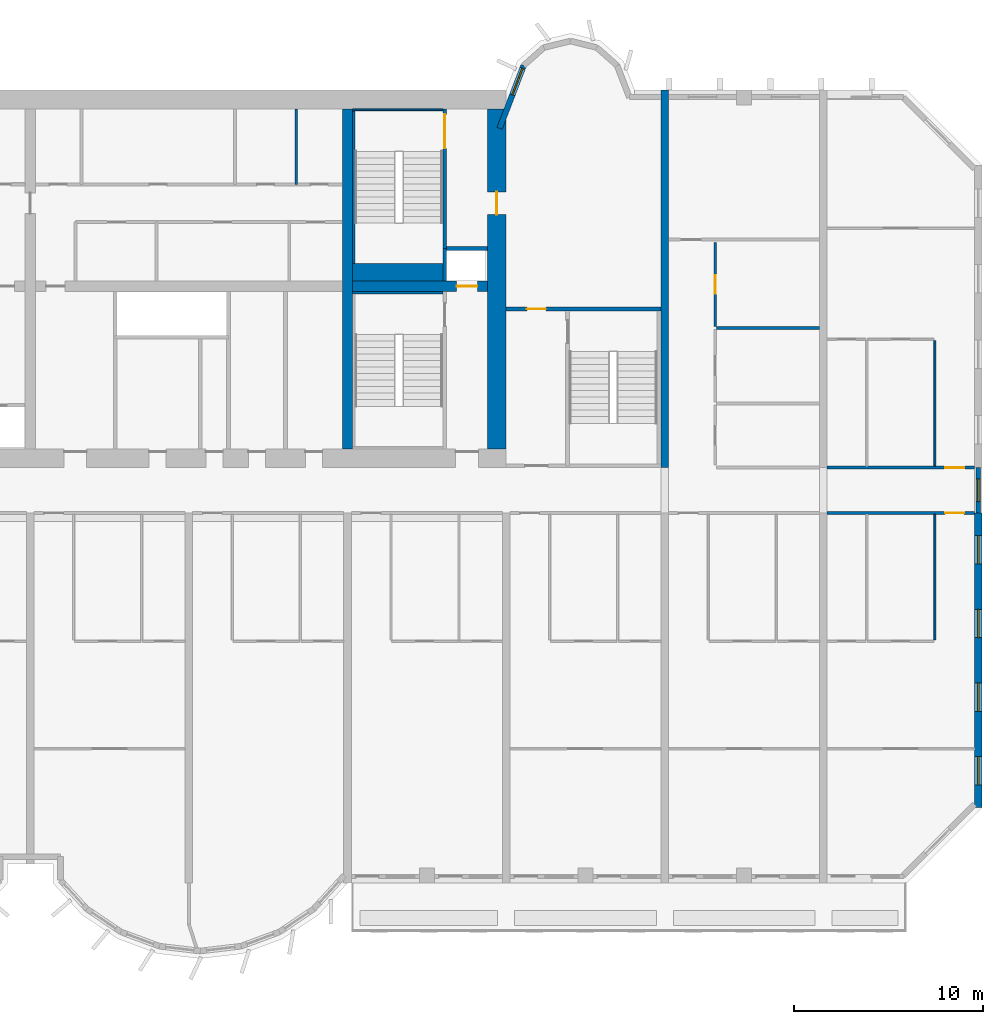
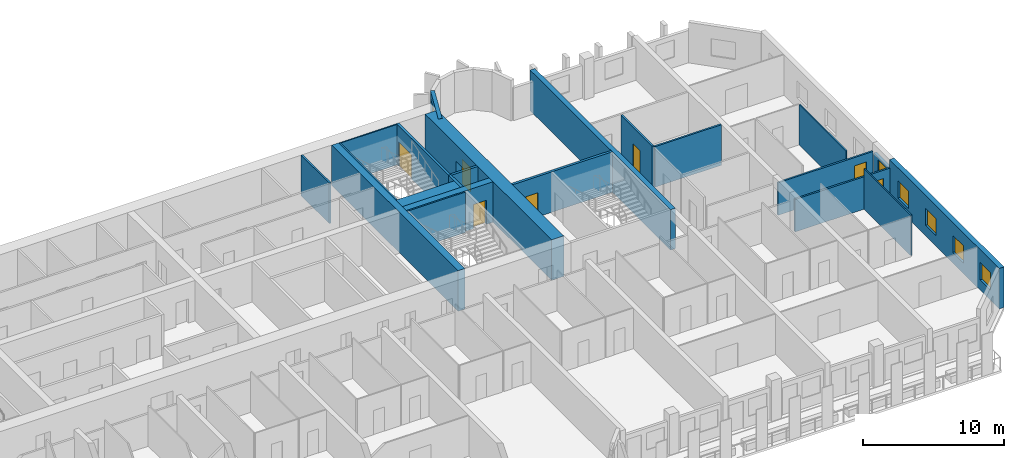
# One storey, part 10 of 15: 22 walls, 7 doors, 6 windows, 13 openings.
"""IFC4 building model written with IfcOpenShell, lengths in metres."""

from ifc_helpers import new_model, si_unit, direction, frame, frame_2d, origin, place, context, subcontext, project, spatial, rectangle, extrude, source, transform, mapped, material, layer, layer_set, type_object, element, fill, save


model = new_model("IFC4")

# Units and contexts
model_context = context("Model", 3, precision=1e-05, world=origin(), true_north=direction((0.0, 1.0)))
body_context = subcontext(model_context, "Body", "Model", "MODEL_VIEW")
ifc_project = project(units=[si_unit("LENGTHUNIT", "METRE"), si_unit("AREAUNIT", "SQUARE_METRE"), si_unit("VOLUMEUNIT", "CUBIC_METRE"), si_unit("PLANEANGLEUNIT", "RADIAN"), si_unit("MASSUNIT", "GRAM", prefix="KILO")], contexts=[model_context])

# Site, building, storey
site_placement = place(None, origin())
site = spatial("IfcSite", under=ifc_project, at=site_placement, CompositionType="ELEMENT")
building_placement = place(site_placement, origin())
building = spatial("IfcBuilding", under=site, at=building_placement, Name="Vanashikhar Sky Hotel", CompositionType="ELEMENT")
storey_placement = place(building_placement, frame((0.0, 0.0, 62.0)))
storey = spatial("IfcBuildingStorey", under=building, at=storey_placement, Name="L14", CompositionType="ELEMENT", Elevation=62.0)

# Wall, opening, door
ifc_material_1 = material(Name="Concrete M80", Category="concrete")
ifc_layer_1 = layer(ifc_material_1, 1.0)
ifc_layer_set_1 = layer_set([ifc_layer_1], Name="RC core shell wall 1000 Concrete M80")
wall_type_1 = type_object("IfcWallType", Name="RC core shell wall 1000 Concrete M80", PredefinedType="SHEAR", material=ifc_layer_set_1)
shared_shape_1 = source(origin(), body_context, "Body", "SweptSolid", [
    extrude(rectangle(XDim=18.0, YDim=1.0, at=frame_2d((9.0, 0.0))), origin(), (0.0, 0.0, 1.0), 3.52001953125),
])
wall_1_placement = place(storey_placement, frame((75.10009765625, 23.0, 0.0), z_axis=(0.0, 0.0, 1.0), x_axis=(0.0, 1.0, 0.0)))
wall_1 = element("IfcWall", 1, at=wall_1_placement, inside=storey, type_object=wall_type_1, Name="KW-L14-KE", PredefinedType="SHEAR", context=body_context, shape_type="MappedRepresentation", body=[
    mapped(shared_shape_1, transform((0.0, 0.0, 0.0), scale=1.0)),
])
shared_shape_2 = source(origin(), body_context, "Body", "SweptSolid", [
    extrude(rectangle(XDim=1.199951171875, YDim=2.10009765625, at=frame_2d((0.60009765625, 1.050048828125))), frame((0.0, 0.510009765625, 0.0), z_axis=(0.0, -1.0, 0.0), x_axis=(1.0, 0.0, 0.0)), (0.0, 0.0, 1.0), 1.02001953125),
])
opening_1_placement = place(wall_1_placement, frame((12.39990234375, 0.0, 0.0)))
opening_1 = element("IfcOpeningElement", 2, at=opening_1_placement, cuts=wall_1, Name="Opening DC-4-D", PredefinedType="OPENING", context=body_context, shape_type="MappedRepresentation", body=[
    mapped(shared_shape_2, transform((0.0, 0.0, 0.0), scale=1.0)),
])
ifc_material_2 = material(Name="Steel", Category="steel")
door_type_1 = type_object("IfcDoorType", Name="Service door 1200 FD120", OperationType="NOTDEFINED", PredefinedType="DOOR", material=ifc_material_2)
shared_shape_3 = source(origin(), body_context, "Body", "SweptSolid", [
    extrude(rectangle(XDim=1.199951171875, YDim=2.10009765625, at=frame_2d((0.60009765625, 1.050048828125))), frame((0.0, 0.02490234375, 0.0), z_axis=(0.0, -1.0, 0.0), x_axis=(1.0, 0.0, 0.0)), (0.0, 0.0, 1.0), 0.050048828125),
])
door_1_placement = place(opening_1_placement, origin())
door_1 = element("IfcDoor", 3, at=door_1_placement, inside=storey, type_object=door_type_1, Name="Service door 1200 FD120", OperationType="SINGLE_SWING_LEFT", OverallHeight=2.10009765625, OverallWidth=1.199951171875, PredefinedType="DOOR", context=body_context, shape_type="MappedRepresentation", body=[
    mapped(shared_shape_3, transform((0.0, 0.0, 0.0), scale=1.0)),
])
fill(opening_1, door_1)

# Wall
ifc_layer_2 = layer(ifc_material_1, 0.550048828125)
ifc_layer_set_2 = layer_set([ifc_layer_2], Name="RC core inner wall 550 Concrete M80")
wall_type_2 = type_object("IfcWallType", Name="RC core inner wall 550 Concrete M80", PredefinedType="SHEAR", material=ifc_layer_set_2)
shared_shape_4 = source(origin(), body_context, "Body", "SweptSolid", [
    extrude(rectangle(XDim=18.0, YDim=0.550048828125, at=frame_2d((9.0, 0.0))), origin(), (0.0, 0.0, 1.0), 3.52001953125),
])
wall_2_placement = place(storey_placement, frame((67.199951171875, 23.0, 0.0), z_axis=(0.0, 0.0, 1.0), x_axis=(0.0, 1.0, 0.0)))
element("IfcWall", 4, at=wall_2_placement, inside=storey, type_object=wall_type_2, Name="KW-L14-KX3", PredefinedType="SHEAR", context=body_context, shape_type="MappedRepresentation", body=[
    mapped(shared_shape_4, transform((0.0, 0.0, 0.0), scale=1.0)),
])

# Wall, opening, door
shared_shape_5 = source(origin(), body_context, "Body", "SweptSolid", [
    extrude(rectangle(XDim=7.125, YDim=0.550048828125, at=frame_2d((3.5625, 0.0))), origin(), (0.0, 0.0, 1.0), 3.52001953125),
])
wall_3_placement = place(storey_placement, frame((67.47509765625, 31.60009765625, 0.0), z_axis=(0.0, 0.0, 1.0), x_axis=(1.0, 0.0, 0.0)))
wall_3 = element("IfcWall", 5, at=wall_3_placement, inside=storey, type_object=wall_type_2, Name="KW-L14-KY4", PredefinedType="SHEAR", context=body_context, shape_type="MappedRepresentation", body=[
    mapped(shared_shape_5, transform((0.0, 0.0, 0.0), scale=1.0)),
])
shared_shape_6 = source(origin(), body_context, "Body", "SweptSolid", [
    extrude(rectangle(XDim=1.10009765625, YDim=2.10009765625, at=frame_2d((0.550048828125, 1.050048828125))), frame((0.0, 0.28515625, 0.0), z_axis=(0.0, -1.0, 0.0), x_axis=(1.0, 0.0, 0.0)), (0.0, 0.0, 1.0), 0.570068359375),
])
opening_2_placement = place(wall_3_placement, frame((5.5, 0.0, 0.0)))
opening_2 = element("IfcOpeningElement", 6, at=opening_2_placement, cuts=wall_3, Name="Opening LD", PredefinedType="OPENING", context=body_context, shape_type="MappedRepresentation", body=[
    mapped(shared_shape_6, transform((0.0, 0.0, 0.0), scale=1.0)),
])
ifc_material_3 = material(Name="Stainless steel", Category="steel")
door_type_2 = type_object("IfcDoorType", Name="Lift landing door 1100", OperationType="NOTDEFINED", PredefinedType="DOOR", material=ifc_material_3)
shared_shape_7 = source(origin(), body_context, "Body", "SweptSolid", [
    extrude(rectangle(XDim=1.10009765625, YDim=2.10009765625, at=frame_2d((0.550048828125, 1.050048828125))), frame((0.0, 0.02490234375, 0.0), z_axis=(0.0, -1.0, 0.0), x_axis=(1.0, 0.0, 0.0)), (0.0, 0.0, 1.0), 0.050048828125),
])
door_2_placement = place(opening_2_placement, origin())
door_2 = element("IfcDoor", 7, at=door_2_placement, inside=storey, type_object=door_type_2, Name="Lift landing door 1100", OperationType="SLIDING_TO_RIGHT", OverallHeight=2.10009765625, OverallWidth=1.10009765625, PredefinedType="DOOR", context=body_context, shape_type="MappedRepresentation", body=[
    mapped(shared_shape_7, transform((0.0, 0.0, 0.0), scale=1.0)),
])
fill(opening_2, door_2)

# Wall, openings, windows
ifc_layer_3 = layer(ifc_material_1, 0.39990234375)
ifc_layer_set_3 = layer_set([ifc_layer_3], Name="RC shear wall 400 Concrete M80")
wall_type_3 = type_object("IfcWallType", Name="RC shear wall 400 Concrete M80", PredefinedType="SHEAR", material=ifc_layer_set_3)
shared_shape_8 = source(origin(), body_context, "Body", "SweptSolid", [
    extrude(rectangle(XDim=15.60009765625, YDim=0.39990234375, at=frame_2d((7.800048828125, 0.0))), origin(), (0.0, 0.0, 1.0), 3.52001953125),
])
wall_4_placement = place(storey_placement, frame((100.60009765625, 4.0, 0.0), z_axis=(0.0, 0.0, 1.0), x_axis=(0.0, 1.0, 0.0)))
wall_4 = element("IfcWall", 8, at=wall_4_placement, inside=storey, type_object=wall_type_3, Name="CW-L14-XW13-1", PredefinedType="SHEAR", context=body_context, shape_type="MappedRepresentation", body=[
    mapped(shared_shape_8, transform((0.0, 0.0, 0.0), scale=1.0)),
])
shared_shape_9 = source(origin(), body_context, "Body", "SweptSolid", [
    extrude(rectangle(XDim=1.5, YDim=1.5, at=frame_2d((0.75, 0.75))), frame((0.0, 0.2099609375, 0.0), z_axis=(0.0, -1.0, 0.0), x_axis=(1.0, 0.0, 0.0)), (0.0, 0.0, 1.0), 0.419921875),
])
opening_3_placement = place(wall_4_placement, frame((1.199951171875, 0.0, 0.89990234375)))
opening_3 = element("IfcOpeningElement", 9, at=opening_3_placement, cuts=wall_4, Name="Opening WN-1", PredefinedType="OPENING", context=body_context, shape_type="MappedRepresentation", body=[
    mapped(shared_shape_9, transform((0.0, 0.0, 0.0), scale=1.0)),
])
opening_4_placement = place(wall_4_placement, frame((5.10009765625, 0.0, 0.89990234375)))
opening_4 = element("IfcOpeningElement", 10, at=opening_4_placement, cuts=wall_4, Name="Opening WN-1", PredefinedType="OPENING", context=body_context, shape_type="MappedRepresentation", body=[
    mapped(shared_shape_9, transform((0.0, 0.0, 0.0), scale=1.0)),
])
opening_5_placement = place(wall_4_placement, frame((9.0, 0.0, 0.89990234375)))
opening_5 = element("IfcOpeningElement", 11, at=opening_5_placement, cuts=wall_4, Name="Opening WN-1", PredefinedType="OPENING", context=body_context, shape_type="MappedRepresentation", body=[
    mapped(shared_shape_9, transform((0.0, 0.0, 0.0), scale=1.0)),
])
opening_6_placement = place(wall_4_placement, frame((12.89990234375, 0.0, 0.89990234375)))
opening_6 = element("IfcOpeningElement", 12, at=opening_6_placement, cuts=wall_4, Name="Opening WN-1", PredefinedType="OPENING", context=body_context, shape_type="MappedRepresentation", body=[
    mapped(shared_shape_9, transform((0.0, 0.0, 0.0), scale=1.0)),
])
ifc_material_4 = material(Name="Glass", Category="glass")
window_type_1 = type_object("IfcWindowType", Name="Window 1500 x 1500", PartitioningType="SINGLE_PANEL", PredefinedType="WINDOW", material=ifc_material_4)
shared_shape_10 = source(origin(), body_context, "Body", "SweptSolid", [
    extrude(rectangle(XDim=1.5, YDim=1.5, at=frame_2d((0.75, 0.75))), frame((0.0, 0.030029296875, 0.0), z_axis=(0.0, -1.0, 0.0), x_axis=(1.0, 0.0, 0.0)), (0.0, 0.0, 1.0), 0.06005859375),
])
window_1_placement = place(opening_3_placement, origin())
window_1 = element("IfcWindow", 13, at=window_1_placement, inside=storey, type_object=window_type_1, Name="Window WN-1", OverallHeight=1.5, OverallWidth=1.5, PartitioningType="SINGLE_PANEL", PredefinedType="WINDOW", context=body_context, shape_type="MappedRepresentation", body=[
    mapped(shared_shape_10, transform((0.0, 0.0, 0.0), scale=1.0)),
])
fill(opening_3, window_1)
window_2_placement = place(opening_4_placement, origin())
window_2 = element("IfcWindow", 14, at=window_2_placement, inside=storey, type_object=window_type_1, Name="Window WN-1", OverallHeight=1.5, OverallWidth=1.5, PartitioningType="SINGLE_PANEL", PredefinedType="WINDOW", context=body_context, shape_type="MappedRepresentation", body=[
    mapped(shared_shape_10, transform((0.0, 0.0, 0.0), scale=1.0)),
])
fill(opening_4, window_2)
window_3_placement = place(opening_5_placement, origin())
window_3 = element("IfcWindow", 15, at=window_3_placement, inside=storey, type_object=window_type_1, Name="Window WN-1", OverallHeight=1.5, OverallWidth=1.5, PartitioningType="SINGLE_PANEL", PredefinedType="WINDOW", context=body_context, shape_type="MappedRepresentation", body=[
    mapped(shared_shape_10, transform((0.0, 0.0, 0.0), scale=1.0)),
])
fill(opening_5, window_3)
window_4_placement = place(opening_6_placement, origin())
window_4 = element("IfcWindow", 16, at=window_4_placement, inside=storey, type_object=window_type_1, Name="Window WN-1", OverallHeight=1.5, OverallWidth=1.5, PartitioningType="SINGLE_PANEL", PredefinedType="WINDOW", context=body_context, shape_type="MappedRepresentation", body=[
    mapped(shared_shape_10, transform((0.0, 0.0, 0.0), scale=1.0)),
])
fill(opening_6, window_4)

# Wall
shared_shape_11 = source(origin(), body_context, "Body", "SweptSolid", [
    extrude(rectangle(XDim=20.0, YDim=0.39990234375, at=frame_2d((10.0, 0.0))), origin(), (0.0, 0.0, 1.0), 3.52001953125),
])
wall_5_placement = place(storey_placement, frame((84.0, 22.0, 0.0), z_axis=(0.0, 0.0, 1.0), x_axis=(0.0, 1.0, 0.0)))
element("IfcWall", 17, at=wall_5_placement, inside=storey, type_object=wall_type_3, Name="CW-L14-XW11-2", PredefinedType="SHEAR", context=body_context, shape_type="MappedRepresentation", body=[
    mapped(shared_shape_11, transform((0.0, 0.0, 0.0), scale=1.0)),
])

# Wall, opening, window
ifc_material_5 = material(Name="Concrete M50", Category="concrete")
ifc_layer_4 = layer(ifc_material_5, 0.300048828125)
ifc_layer_set_4 = layer_set([ifc_layer_4], Name="Lobe wall 300")
wall_type_4 = type_object("IfcWallType", Name="Lobe wall 300", PredefinedType="SOLIDWALL", material=ifc_layer_set_4)
shared_shape_12 = source(origin(), body_context, "Body", "SweptSolid", [
    extrude(rectangle(XDim=3.55908203125, YDim=0.300048828125, at=frame_2d((1.779541015625, 0.0))), origin(), (0.0, 0.0, 1.0), 3.52001953125),
])
wall_6_placement = place(storey_placement, frame((76.5234375, 43.2919921875, 0.0), z_axis=(0.0, 0.0, 1.0), x_axis=(-0.35779745313, -0.933799219604, 0.0)))
wall_6 = element("IfcWall", 18, at=wall_6_placement, inside=storey, type_object=wall_type_4, Name="Lobe wall", PredefinedType="SOLIDWALL", context=body_context, shape_type="MappedRepresentation", body=[
    mapped(shared_shape_12, transform((0.0, 0.0, 0.0), scale=1.0)),
])
shared_shape_13 = source(origin(), body_context, "Body", "SweptSolid", [
    extrude(rectangle(XDim=1.5, YDim=2.0, at=frame_2d((0.75, 1.0))), frame((0.0, 0.16015625, 0.0), z_axis=(0.0, -1.0, 0.0), x_axis=(1.0, 0.0, 0.0)), (0.0, 0.0, 1.0), 0.320068359375),
])
opening_7_placement = place(wall_6_placement, frame((0.156005859375, 0.0, 0.89990234375)))
opening_7 = element("IfcOpeningElement", 19, at=opening_7_placement, cuts=wall_6, Name="Opening WN-2", PredefinedType="OPENING", context=body_context, shape_type="MappedRepresentation", body=[
    mapped(shared_shape_13, transform((0.0, 0.0, 0.0), scale=1.0)),
])
window_type_2 = type_object("IfcWindowType", Name="Lobe window 1500 x 2000", PartitioningType="SINGLE_PANEL", PredefinedType="WINDOW", material=ifc_material_4)
shared_shape_14 = source(origin(), body_context, "Body", "SweptSolid", [
    extrude(rectangle(XDim=1.5, YDim=2.0, at=frame_2d((0.75, 1.0))), frame((0.0, 0.030029296875, 0.0), z_axis=(0.0, -1.0, 0.0), x_axis=(1.0, 0.0, 0.0)), (0.0, 0.0, 1.0), 0.06005859375),
])
window_5_placement = place(opening_7_placement, origin())
window_5 = element("IfcWindow", 20, at=window_5_placement, inside=storey, type_object=window_type_2, Name="Window WN-2", OverallHeight=2.0, OverallWidth=1.5, PartitioningType="SINGLE_PANEL", PredefinedType="WINDOW", context=body_context, shape_type="MappedRepresentation", body=[
    mapped(shared_shape_14, transform((0.0, 0.0, 0.0), scale=1.0)),
])
fill(opening_7, window_5)

ifc_layer_5 = layer(ifc_material_5, 0.25)
ifc_layer_set_5 = layer_set([ifc_layer_5], Name="Rear and end board-marked wall 250")
wall_type_5 = type_object("IfcWallType", Name="Rear and end board-marked wall 250", PredefinedType="SOLIDWALL", material=ifc_layer_set_5)
shared_shape_15 = source(origin(), body_context, "Body", "SweptSolid", [
    extrude(rectangle(XDim=2.39990234375, YDim=0.25, at=frame_2d((1.199951171875, 0.0))), origin(), (0.0, 0.0, 1.0), 2.6201171875),
])
wall_7_placement = place(storey_placement, frame((100.60009765625, 19.60009765625, 0.0), z_axis=(0.0, 0.0, 1.0), x_axis=(0.0, 1.0, 0.0)))
wall_7 = element("IfcWall", 21, at=wall_7_placement, inside=storey, type_object=wall_type_5, Name="End corridor infill wall", PredefinedType="SOLIDWALL", context=body_context, shape_type="MappedRepresentation", body=[
    mapped(shared_shape_15, transform((0.0, 0.0, 0.0), scale=1.0)),
])
shared_shape_16 = source(origin(), body_context, "Body", "SweptSolid", [
    extrude(rectangle(XDim=1.199951171875, YDim=1.5, at=frame_2d((0.60009765625, 0.75))), frame((0.0, 0.135009765625, 0.0), z_axis=(0.0, -1.0, 0.0), x_axis=(1.0, 0.0, 0.0)), (0.0, 0.0, 1.0), 0.27001953125),
])
opening_8_placement = place(wall_7_placement, frame((0.60009765625, 0.0, 0.89990234375)))
opening_8 = element("IfcOpeningElement", 22, at=opening_8_placement, cuts=wall_7, Name="Opening WN-3", PredefinedType="OPENING", context=body_context, shape_type="MappedRepresentation", body=[
    mapped(shared_shape_16, transform((0.0, 0.0, 0.0), scale=1.0)),
])
window_type_3 = type_object("IfcWindowType", Name="Corridor end window 1200 x 1500", PartitioningType="SINGLE_PANEL", PredefinedType="WINDOW", material=ifc_material_4)
shared_shape_17 = source(origin(), body_context, "Body", "SweptSolid", [
    extrude(rectangle(XDim=1.199951171875, YDim=1.5, at=frame_2d((0.60009765625, 0.75))), frame((0.0, 0.030029296875, 0.0), z_axis=(0.0, -1.0, 0.0), x_axis=(1.0, 0.0, 0.0)), (0.0, 0.0, 1.0), 0.06005859375),
])
window_6_placement = place(opening_8_placement, origin())
window_6 = element("IfcWindow", 23, at=window_6_placement, inside=storey, type_object=window_type_3, Name="Window WN-3", OverallHeight=1.5, OverallWidth=1.199951171875, PartitioningType="SINGLE_PANEL", PredefinedType="WINDOW", context=body_context, shape_type="MappedRepresentation", body=[
    mapped(shared_shape_17, transform((0.0, 0.0, 0.0), scale=1.0)),
])
fill(opening_8, window_6)

# Wall, opening, door
ifc_layer_6 = layer(ifc_material_5, 0.199951171875)
ifc_layer_set_6 = layer_set([ifc_layer_6], Name="Stair wall 200")
wall_type_6 = type_object("IfcWallType", Name="Stair wall 200", PredefinedType="SOLIDWALL", material=ifc_layer_set_6)
shared_shape_18 = source(origin(), body_context, "Body", "SweptSolid", [
    extrude(rectangle(XDim=8.199951171875, YDim=0.199951171875, at=frame_2d((4.10009765625, 0.0))), origin(), (0.0, 0.0, 1.0), 3.52001953125),
])
wall_8_placement = place(storey_placement, frame((83.800048828125, 30.39990234375, 0.0), z_axis=(0.0, 0.0, 1.0), x_axis=(-1.0, 0.0, 0.0)))
wall_8 = element("IfcWall", 24, at=wall_8_placement, inside=storey, type_object=wall_type_6, Name="Stair wall 200", PredefinedType="SOLIDWALL", context=body_context, shape_type="MappedRepresentation", body=[
    mapped(shared_shape_18, transform((0.0, 0.0, 0.0), scale=1.0)),
])
shared_shape_19 = source(origin(), body_context, "Body", "SweptSolid", [
    extrude(rectangle(XDim=1.0, YDim=2.10009765625, at=frame_2d((0.5, 1.050048828125))), frame((0.0, 0.10986328125, 0.0), z_axis=(0.0, -1.0, 0.0), x_axis=(1.0, 0.0, 0.0)), (0.0, 0.0, 1.0), 0.219970703125),
])
opening_9_placement = place(wall_8_placement, frame((6.10009765625, 0.0, 0.0)))
opening_9 = element("IfcOpeningElement", 25, at=opening_9_placement, cuts=wall_8, Name="Opening DC-6", PredefinedType="OPENING", context=body_context, shape_type="MappedRepresentation", body=[
    mapped(shared_shape_19, transform((0.0, 0.0, 0.0), scale=1.0)),
])
door_type_3 = type_object("IfcDoorType", Name="Pocket door 1000 FD60", OperationType="NOTDEFINED", PredefinedType="DOOR", material=ifc_material_2)
shared_shape_20 = source(origin(), body_context, "Body", "SweptSolid", [
    extrude(rectangle(XDim=1.0, YDim=2.10009765625, at=frame_2d((0.5, 1.050048828125))), frame((0.0, 0.02490234375, 0.0), z_axis=(0.0, -1.0, 0.0), x_axis=(1.0, 0.0, 0.0)), (0.0, 0.0, 1.0), 0.050048828125),
])
door_3_placement = place(opening_9_placement, origin())
door_3 = element("IfcDoor", 26, at=door_3_placement, inside=storey, type_object=door_type_3, Name="Pocket door 1000 FD60", OperationType="SINGLE_SWING_RIGHT", OverallHeight=2.10009765625, OverallWidth=1.0, PredefinedType="DOOR", context=body_context, shape_type="MappedRepresentation", body=[
    mapped(shared_shape_20, transform((0.0, 0.0, 0.0), scale=1.0)),
])
fill(opening_9, door_3)

# Walls
ifc_material_6 = material(Name="Concrete M40", Category="concrete")
ifc_layer_7 = layer(ifc_material_6, 0.199951171875)
ifc_layer_set_7 = layer_set([ifc_layer_7], Name="Shaft wall 200")
wall_type_7 = type_object("IfcWallType", Name="Shaft wall 200", PredefinedType="SOLIDWALL", material=ifc_layer_set_7)
shared_shape_21 = source(origin(), body_context, "Body", "SweptSolid", [
    extrude(rectangle(XDim=2.150146484375, YDim=0.199951171875, at=frame_2d((1.0751953125, 0.0))), origin(), (0.0, 0.0, 1.0), 3.52001953125),
])
wall_9_placement = place(storey_placement, frame((72.449951171875, 33.60009765625, 0.0), z_axis=(0.0, 0.0, 1.0), x_axis=(1.0, 0.0, 0.0)))
element("IfcWall", 27, at=wall_9_placement, inside=storey, type_object=wall_type_7, Name="Shaft wall 200", PredefinedType="SOLIDWALL", context=body_context, shape_type="MappedRepresentation", body=[
    mapped(shared_shape_21, transform((0.0, 0.0, 0.0), scale=1.0)),
])
ifc_material_7 = material(Name="Gypsum board partition")
ifc_layer_8 = layer(ifc_material_7, 0.14990234375)
ifc_layer_set_8 = layer_set([ifc_layer_8], Name="Service partition 150")
wall_type_8 = type_object("IfcWallType", Name="Service partition 150", PredefinedType="PARTITIONING", material=ifc_layer_set_8)
shared_shape_22 = source(origin(), body_context, "Body", "SweptSolid", [
    extrude(rectangle(XDim=4.0, YDim=0.14990234375, at=frame_2d((2.0, 0.0))), origin(), (0.0, 0.0, 1.0), 3.52001953125),
])
wall_10_placement = place(storey_placement, frame((64.487060546875, 37.0, 0.0), z_axis=(0.0, 0.0, 1.0), x_axis=(0.0, 1.0, 0.0)))
element("IfcWall", 28, at=wall_10_placement, inside=storey, type_object=wall_type_8, Name="Service partition 150", PredefinedType="PARTITIONING", context=body_context, shape_type="MappedRepresentation", body=[
    mapped(shared_shape_22, transform((0.0, 0.0, 0.0), scale=1.0)),
])
shared_shape_23 = source(origin(), body_context, "Body", "SweptSolid", [
    extrude(rectangle(XDim=1.72509765625, YDim=0.199951171875, at=frame_2d((0.862548828125, 0.0))), origin(), (0.0, 0.0, 1.0), 3.52001953125),
])
wall_11_placement = place(storey_placement, frame((72.35009765625, 31.875, 0.0), z_axis=(0.0, 0.0, 1.0), x_axis=(0.0, 1.0, 0.0)))
element("IfcWall", 29, at=wall_11_placement, inside=storey, type_object=wall_type_7, Name="Shaft wall 200", PredefinedType="SOLIDWALL", context=body_context, shape_type="MappedRepresentation", body=[
    mapped(shared_shape_23, transform((0.0, 0.0, 0.0), scale=1.0)),
])

# Wall, opening, door
shared_shape_24 = source(origin(), body_context, "Body", "SweptSolid", [
    extrude(rectangle(XDim=7.39990234375, YDim=0.199951171875, at=frame_2d((3.699951171875, 0.0))), origin(), (0.0, 0.0, 1.0), 3.52001953125),
])
wall_12_placement = place(storey_placement, frame((72.35009765625, 33.60009765625, 0.0), z_axis=(0.0, 0.0, 1.0), x_axis=(0.0, 1.0, 0.0)))
wall_12 = element("IfcWall", 30, at=wall_12_placement, inside=storey, type_object=wall_type_6, Name="Stair wall 200", PredefinedType="SOLIDWALL", context=body_context, shape_type="MappedRepresentation", body=[
    mapped(shared_shape_24, transform((0.0, 0.0, 0.0), scale=1.0)),
])
shared_shape_25 = source(origin(), body_context, "Body", "SweptSolid", [
    extrude(rectangle(XDim=1.800048828125, YDim=2.10009765625, at=frame_2d((0.89990234375, 1.050048828125))), frame((0.0, 0.10986328125, 0.0), z_axis=(0.0, -1.0, 0.0), x_axis=(1.0, 0.0, 0.0)), (0.0, 0.0, 1.0), 0.219970703125),
])
opening_10_placement = place(wall_12_placement, frame((5.300048828125, 0.0, 0.0)))
opening_10 = element("IfcOpeningElement", 31, at=opening_10_placement, cuts=wall_12, Name="Opening DC-1-A", PredefinedType="OPENING", context=body_context, shape_type="MappedRepresentation", body=[
    mapped(shared_shape_25, transform((0.0, 0.0, 0.0), scale=1.0)),
])
door_type_4 = type_object("IfcDoorType", Name="Stair door 1800 FD120", OperationType="NOTDEFINED", PredefinedType="DOOR", material=ifc_material_2)
shared_shape_26 = source(origin(), body_context, "Body", "SweptSolid", [
    extrude(rectangle(XDim=1.800048828125, YDim=2.10009765625, at=frame_2d((0.89990234375, 1.050048828125))), frame((0.0, 0.02490234375, 0.0), z_axis=(0.0, -1.0, 0.0), x_axis=(1.0, 0.0, 0.0)), (0.0, 0.0, 1.0), 0.050048828125),
])
door_4_placement = place(opening_10_placement, origin())
door_4 = element("IfcDoor", 32, at=door_4_placement, inside=storey, type_object=door_type_4, Name="Stair door 1800 FD120", OperationType="SINGLE_SWING_LEFT", OverallHeight=2.10009765625, OverallWidth=1.800048828125, PredefinedType="DOOR", context=body_context, shape_type="MappedRepresentation", body=[
    mapped(shared_shape_26, transform((0.0, 0.0, 0.0), scale=1.0)),
])
fill(opening_10, door_4)

# Walls
ifc_layer_9 = layer(ifc_material_5, 0.10009765625)
ifc_layer_set_9 = layer_set([ifc_layer_9], Name="Stair infill wall 100")
wall_type_9 = type_object("IfcWallType", Name="Stair infill wall 100", PredefinedType="SOLIDWALL", material=ifc_layer_set_9)
shared_shape_27 = source(origin(), body_context, "Body", "SweptSolid", [
    extrude(rectangle(XDim=4.77490234375, YDim=0.10009765625, at=frame_2d((2.387451171875, 0.0))), origin(), (0.0, 0.0, 1.0), 3.52001953125),
])
wall_13_placement = place(storey_placement, frame((67.47509765625, 40.949951171875, 0.0), z_axis=(0.0, 0.0, 1.0), x_axis=(1.0, 0.0, 0.0)))
element("IfcWall", 33, at=wall_13_placement, inside=storey, type_object=wall_type_9, Name="Stair infill wall 100", PredefinedType="SOLIDWALL", context=body_context, shape_type="MappedRepresentation", body=[
    mapped(shared_shape_27, transform((0.0, 0.0, 0.0), scale=1.0)),
])
ifc_layer_10 = layer(ifc_material_5, 0.125)
ifc_layer_set_10 = layer_set([ifc_layer_10], Name="Stair infill wall 125")
wall_type_10 = type_object("IfcWallType", Name="Stair infill wall 125", PredefinedType="SOLIDWALL", material=ifc_layer_set_10)
shared_shape_28 = source(origin(), body_context, "Body", "SweptSolid", [
    extrude(rectangle(XDim=4.77490234375, YDim=0.125, at=frame_2d((2.387451171875, 0.0))), origin(), (0.0, 0.0, 1.0), 3.52001953125),
])
wall_14_placement = place(storey_placement, frame((67.47509765625, 31.261962890625, 0.0), z_axis=(0.0, 0.0, 1.0), x_axis=(1.0, 0.0, 0.0)))
element("IfcWall", 34, at=wall_14_placement, inside=storey, type_object=wall_type_10, Name="Stair infill wall 125", PredefinedType="SOLIDWALL", context=body_context, shape_type="MappedRepresentation", body=[
    mapped(shared_shape_28, transform((0.0, 0.0, 0.0), scale=1.0)),
])
shared_shape_29 = source(origin(), body_context, "Body", "SweptSolid", [
    extrude(rectangle(XDim=8.099853515625, YDim=0.125, at=frame_2d((4.0498046875, 0.0))), origin(), (0.0, 0.0, 1.0), 3.52001953125),
])
wall_15_placement = place(storey_placement, frame((67.537109375, 32.800048828125, 0.0), z_axis=(0.0, 0.0, 1.0), x_axis=(0.0, 1.0, 0.0)))
element("IfcWall", 35, at=wall_15_placement, inside=storey, type_object=wall_type_10, Name="Stair infill wall 125", PredefinedType="SOLIDWALL", context=body_context, shape_type="MappedRepresentation", body=[
    mapped(shared_shape_29, transform((0.0, 0.0, 0.0), scale=1.0)),
])
ifc_layer_11 = layer(ifc_material_5, 0.925048828125)
ifc_layer_set_11 = layer_set([ifc_layer_11], Name="Stair infill wall 925")
wall_type_11 = type_object("IfcWallType", Name="Stair infill wall 925", PredefinedType="SOLIDWALL", material=ifc_layer_set_11)
shared_shape_30 = source(origin(), body_context, "Body", "SweptSolid", [
    extrude(rectangle(XDim=4.77490234375, YDim=0.925048828125, at=frame_2d((2.387451171875, 0.0))), origin(), (0.0, 0.0, 1.0), 3.52001953125),
])
wall_16_placement = place(storey_placement, frame((67.47509765625, 32.3369140625, 0.0), z_axis=(0.0, 0.0, 1.0), x_axis=(1.0, 0.0, 0.0)))
element("IfcWall", 36, at=wall_16_placement, inside=storey, type_object=wall_type_11, Name="Stair infill wall 925", PredefinedType="SOLIDWALL", context=body_context, shape_type="MappedRepresentation", body=[
    mapped(shared_shape_30, transform((0.0, 0.0, 0.0), scale=1.0)),
])

# Wall, opening, door
ifc_material_8 = material(Name="Gypsum plasterboard partition")
ifc_layer_12 = layer(ifc_material_8, 0.14990234375)
ifc_layer_set_12 = layer_set([ifc_layer_12], Name="Corridor and demising partition 150")
wall_type_12 = type_object("IfcWallType", Name="Corridor and demising partition 150", PredefinedType="PARTITIONING", material=ifc_layer_set_12)
shared_shape_31 = source(origin(), body_context, "Body", "SweptSolid", [
    extrude(rectangle(XDim=4.449951171875, YDim=0.14990234375, at=frame_2d((2.22509765625, 0.0))), origin(), (0.0, 0.0, 1.0), 3.52001953125),
])
wall_17_placement = place(storey_placement, frame((86.675048828125, 29.47509765625, 0.0), z_axis=(0.0, 0.0, 1.0), x_axis=(0.0, 1.0, 0.0)))
wall_17 = element("IfcWall", 37, at=wall_17_placement, inside=storey, type_object=wall_type_12, Name="W-L14-PW088", PredefinedType="PARTITIONING", context=body_context, shape_type="MappedRepresentation", body=[
    mapped(shared_shape_31, transform((0.0, 0.0, 0.0), scale=1.0)),
])
shared_shape_32 = source(origin(), body_context, "Body", "SweptSolid", [
    extrude(rectangle(XDim=1.0, YDim=2.10009765625, at=frame_2d((0.5, 1.050048828125))), frame((0.0, 0.0849609375, 0.0), z_axis=(0.0, -1.0, 0.0), x_axis=(1.0, 0.0, 0.0)), (0.0, 0.0, 1.0), 0.169921875),
])
opening_11_placement = place(wall_17_placement, frame((1.72509765625, 0.0, 0.0)))
opening_11 = element("IfcOpeningElement", 38, at=opening_11_placement, cuts=wall_17, Name="Opening D-01", PredefinedType="OPENING", context=body_context, shape_type="MappedRepresentation", body=[
    mapped(shared_shape_32, transform((0.0, 0.0, 0.0), scale=1.0)),
])
ifc_material_9 = material(Name="Timber fire door", Category="wood")
door_type_5 = type_object("IfcDoorType", Name="Guest entry door 1000 FD30S", OperationType="NOTDEFINED", PredefinedType="DOOR", material=ifc_material_9)
door_5_placement = place(opening_11_placement, origin())
door_5 = element("IfcDoor", 39, at=door_5_placement, inside=storey, type_object=door_type_5, Name="D-L14-053", OperationType="SINGLE_SWING_LEFT", OverallHeight=2.10009765625, OverallWidth=1.0, PredefinedType="DOOR", context=body_context, shape_type="MappedRepresentation", body=[
    mapped(shared_shape_20, transform((0.0, 0.0, 0.0), scale=1.0)),
])
fill(opening_11, door_5)

shared_shape_33 = source(origin(), body_context, "Body", "SweptSolid", [
    extrude(rectangle(XDim=7.7998046875, YDim=0.14990234375, at=frame_2d((3.89990234375, 0.0))), origin(), (0.0, 0.0, 1.0), 2.820068359375),
])
wall_18_placement = place(storey_placement, frame((92.60009765625, 19.60009765625, 0.0), z_axis=(0.0, 0.0, 1.0), x_axis=(1.0, 0.0, 0.0)))
wall_18 = element("IfcWall", 40, at=wall_18_placement, inside=storey, type_object=wall_type_12, Name="W-L14-PW067", PredefinedType="PARTITIONING", context=body_context, shape_type="MappedRepresentation", body=[
    mapped(shared_shape_33, transform((0.0, 0.0, 0.0), scale=1.0)),
])
opening_12_placement = place(wall_18_placement, frame((6.25, 0.0, 0.0)))
opening_12 = element("IfcOpeningElement", 41, at=opening_12_placement, cuts=wall_18, Name="Opening D-01", PredefinedType="OPENING", context=body_context, shape_type="MappedRepresentation", body=[
    mapped(shared_shape_32, transform((0.0, 0.0, 0.0), scale=1.0)),
])
door_6_placement = place(opening_12_placement, origin())
door_6 = element("IfcDoor", 42, at=door_6_placement, inside=storey, type_object=door_type_5, Name="D-L14-042", OperationType="SINGLE_SWING_RIGHT", OverallHeight=2.10009765625, OverallWidth=1.0, PredefinedType="DOOR", context=body_context, shape_type="MappedRepresentation", body=[
    mapped(shared_shape_20, transform((0.0, 0.0, 0.0), scale=1.0)),
])
fill(opening_12, door_6)

wall_19_placement = place(storey_placement, frame((92.60009765625, 22.0, 0.0), z_axis=(0.0, 0.0, 1.0), x_axis=(1.0, 0.0, 0.0)))
wall_19 = element("IfcWall", 43, at=wall_19_placement, inside=storey, type_object=wall_type_12, Name="W-L14-PW095", PredefinedType="PARTITIONING", context=body_context, shape_type="MappedRepresentation", body=[
    mapped(shared_shape_33, transform((0.0, 0.0, 0.0), scale=1.0)),
])
opening_13_placement = place(wall_19_placement, frame((6.25, 0.0, 0.0)))
opening_13 = element("IfcOpeningElement", 44, at=opening_13_placement, cuts=wall_19, Name="Opening D-01", PredefinedType="OPENING", context=body_context, shape_type="MappedRepresentation", body=[
    mapped(shared_shape_32, transform((0.0, 0.0, 0.0), scale=1.0)),
])
door_7_placement = place(opening_13_placement, origin())
door_7 = element("IfcDoor", 45, at=door_7_placement, inside=storey, type_object=door_type_5, Name="D-L14-058", OperationType="SINGLE_SWING_RIGHT", OverallHeight=2.10009765625, OverallWidth=1.0, PredefinedType="DOOR", context=body_context, shape_type="MappedRepresentation", body=[
    mapped(shared_shape_20, transform((0.0, 0.0, 0.0), scale=1.0)),
])
fill(opening_13, door_7)

# Walls
shared_shape_34 = source(origin(), body_context, "Body", "SweptSolid", [
    extrude(rectangle(XDim=5.449951171875, YDim=0.14990234375, at=frame_2d((2.72509765625, 0.0))), origin(), (0.0, 0.0, 1.0), 3.52001953125),
])
wall_20_placement = place(storey_placement, frame((86.75, 29.39990234375, 0.0), z_axis=(0.0, 0.0, 1.0), x_axis=(1.0, 0.0, 0.0)))
element("IfcWall", 46, at=wall_20_placement, inside=storey, type_object=wall_type_12, Name="W-L14-PW087", PredefinedType="PARTITIONING", context=body_context, shape_type="MappedRepresentation", body=[
    mapped(shared_shape_34, transform((0.0, 0.0, 0.0), scale=1.0)),
])
ifc_layer_13 = layer(ifc_material_8, 0.10009765625)
ifc_layer_set_13 = layer_set([ifc_layer_13], Name="Wet room partition 100")
wall_type_13 = type_object("IfcWallType", Name="Wet room partition 100", PredefinedType="PARTITIONING", material=ifc_layer_set_13)
shared_shape_35 = source(origin(), body_context, "Body", "SweptSolid", [
    extrude(rectangle(XDim=6.64990234375, YDim=0.10009765625, at=frame_2d((3.324951171875, 0.0))), origin(), (0.0, 0.0, 1.0), 3.52001953125),
])
wall_21_placement = place(storey_placement, frame((98.300048828125, 12.875, 0.0), z_axis=(0.0, 0.0, 1.0), x_axis=(0.0, 1.0, 0.0)))
element("IfcWall", 47, at=wall_21_placement, inside=storey, type_object=wall_type_13, Name="W-L14-PW062", PredefinedType="PARTITIONING", context=body_context, shape_type="MappedRepresentation", body=[
    mapped(shared_shape_35, transform((0.0, 0.0, 0.0), scale=1.0)),
])
shared_shape_36 = source(origin(), body_context, "Body", "SweptSolid", [
    extrude(rectangle(XDim=6.650146484375, YDim=0.10009765625, at=frame_2d((3.3251953125, 0.0))), origin(), (0.0, 0.0, 1.0), 3.52001953125),
])
wall_22_placement = place(storey_placement, frame((98.300048828125, 22.074951171875, 0.0), z_axis=(0.0, 0.0, 1.0), x_axis=(0.0, 1.0, 0.0)))
element("IfcWall", 48, at=wall_22_placement, inside=storey, type_object=wall_type_13, Name="W-L14-PW090", PredefinedType="PARTITIONING", context=body_context, shape_type="MappedRepresentation", body=[
    mapped(shared_shape_36, transform((0.0, 0.0, 0.0), scale=1.0)),
])

save(model, "model.ifc")
